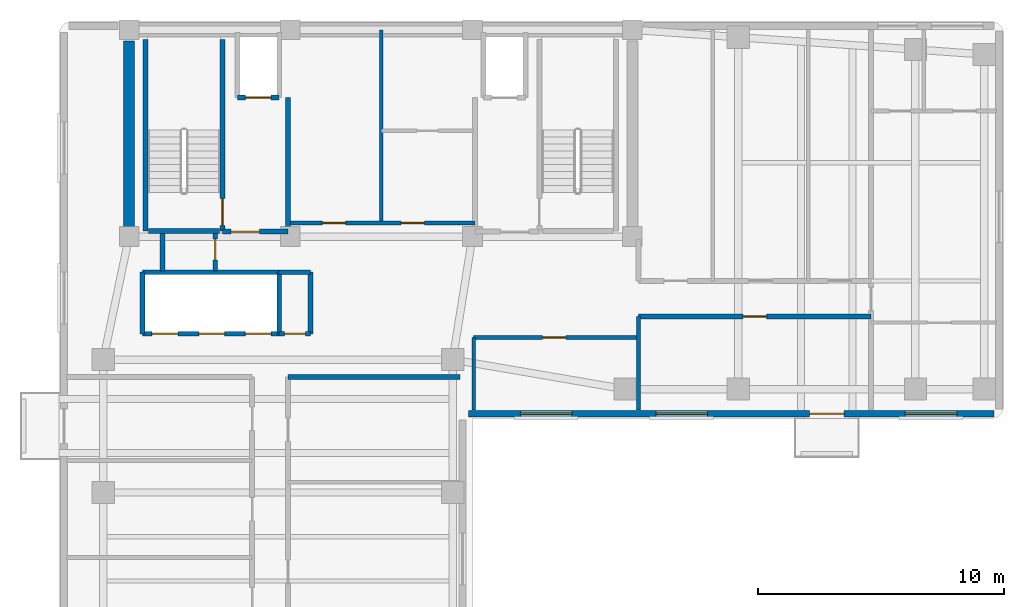
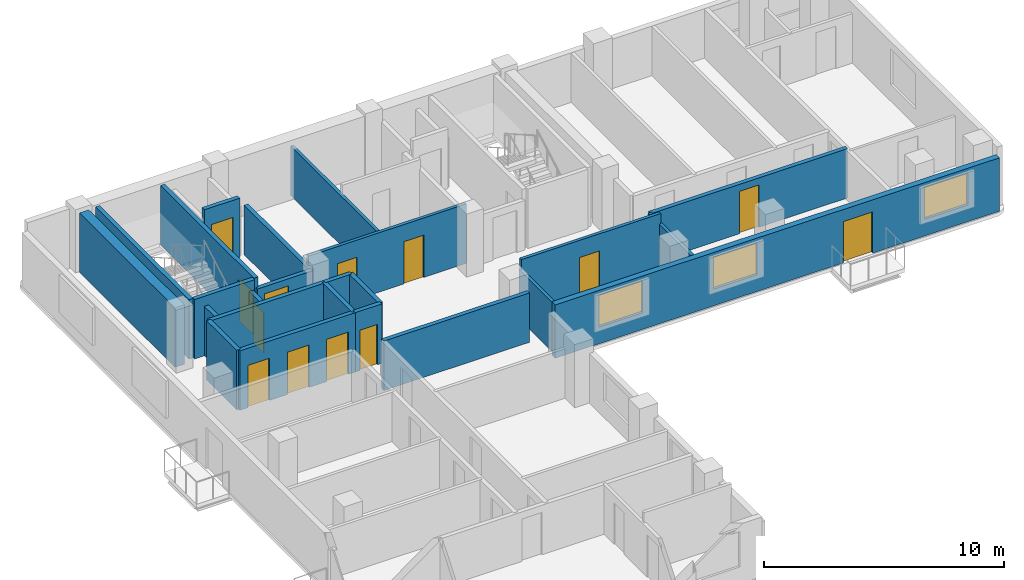
# One storey, part 3 of 7: 24 walls, 13 doors, 3 windows, 16 openings.
"""IFC4 building model written with IfcOpenShell, lengths in metres."""

from ifc_helpers import new_model, si_unit, direction, frame, frame_2d, origin, place, context, subcontext, project, spatial, rectangle, extrude, material, layer, layer_set, type_object, element, fill, save


model = new_model("IFC4")

# Units and contexts
model_context = context("Model", 3, precision=1e-05, world=origin(), true_north=direction((0.0, 1.0)))
body_context = subcontext(model_context, "Body", "Model", "MODEL_VIEW")
ifc_project = project(units=[si_unit("LENGTHUNIT", "METRE"), si_unit("AREAUNIT", "SQUARE_METRE"), si_unit("VOLUMEUNIT", "CUBIC_METRE"), si_unit("PLANEANGLEUNIT", "RADIAN"), si_unit("MASSUNIT", "GRAM", prefix="KILO")], contexts=[model_context])

# Site, building, storey
site_placement = place(None, origin())
site = spatial("IfcSite", under=ifc_project, at=site_placement, CompositionType="ELEMENT")
building_placement = place(site_placement, origin())
building = spatial("IfcBuilding", under=site, at=building_placement, Name="Kuzgunbayir Cultural Tower", CompositionType="ELEMENT")
storey_placement = place(building_placement, frame((0.0, 0.0, 198.39990234375)))
storey = spatial("IfcBuildingStorey", under=building, at=storey_placement, Name="L58", CompositionType="ELEMENT", Elevation=198.39990234375)

# Wall
ifc_material_1 = material(Name="Concrete C50/60", Category="concrete")
ifc_layer_1 = layer(ifc_material_1, 0.449951171875)
ifc_layer_set_1 = layer_set([ifc_layer_1], Name="Concrete C50/60")
wall_type_1 = type_object("IfcWallType", Name="WAL-CORE-450", PredefinedType="SHEAR", material=ifc_layer_set_1)
wall_1_placement = place(storey_placement, frame((6.449951171875, 33.800048828125, 0.0), z_axis=(0.0, 0.0, 1.0), x_axis=(0.0, 1.0, 0.0)))
element("IfcWall", 1, at=wall_1_placement, inside=storey, type_object=wall_type_1, Name="L58 T1 Core West Shear Wall", PredefinedType="SHEAR", context=body_context, shape_type="SweptSolid", body=[
    extrude(rectangle(XDim=7.949951171875, YDim=0.449951171875, at=frame_2d((3.97509765625, 0.0))), origin(), (0.0, 0.0, 1.0), 3.02001953125),
])

# Wall, openings, door, windows
ifc_material_2 = material(Name="Anatolian Cream Limestone", Category="masonry")
ifc_layer_2 = layer(ifc_material_2, 0.280029296875)
ifc_layer_set_2 = layer_set([ifc_layer_2], Name="Anatolian Cream Limestone")
wall_type_2 = type_object("IfcWallType", Name="WAL-EXT-STONE-280", PredefinedType="STANDARD", material=ifc_layer_set_2)
wall_2_placement = place(storey_placement, frame((20.25, 26.60009765625, 0.0), z_axis=(0.0, 0.0, 1.0), x_axis=(1.0, 0.0, 0.0)))
wall_2 = element("IfcWall", 2, at=wall_2_placement, inside=storey, type_object=wall_type_2, Name="L58 Wing B South Limestone Wall", PredefinedType="STANDARD", context=body_context, shape_type="SweptSolid", body=[
    extrude(rectangle(XDim=21.35009765625, YDim=0.280029296875, at=frame_2d((10.675048828125, 0.0))), origin(), (0.0, 0.0, 1.0), 2.710205078125),
])
opening_1_placement = place(wall_2_placement, frame((13.85009765625, 0.0, 0.0)))
opening_1 = element("IfcOpeningElement", 3, at=opening_1_placement, cuts=wall_2, Name="Opening BD-15", PredefinedType="OPENING", context=body_context, shape_type="SweptSolid", body=[
    extrude(rectangle(XDim=1.39990234375, YDim=2.10009765625, at=frame_2d((0.699951171875, 1.050048828125))), frame((0.0, 0.14990234375, 0.0), z_axis=(0.0, -1.0, 0.0), x_axis=(1.0, 0.0, 0.0)), (0.0, 0.0, 1.0), 0.300048828125),
])
opening_2_placement = place(wall_2_placement, frame((17.72998046875, 0.0, 0.85009765625)))
opening_2 = element("IfcOpeningElement", 4, at=opening_2_placement, cuts=wall_2, Name="Opening WR-21", PredefinedType="OPENING", context=body_context, shape_type="SweptSolid", body=[
    extrude(rectangle(XDim=2.10009765625, YDim=1.610107421875, at=frame_2d((1.050048828125, 0.80517578125))), frame((0.0, 0.14990234375, 0.0), z_axis=(0.0, -1.0, 0.0), x_axis=(1.0, 0.0, 0.0)), (0.0, 0.0, 1.0), 0.300048828125),
])
opening_3_placement = place(wall_2_placement, frame((2.10009765625, 0.0, 0.85009765625)))
opening_3 = element("IfcOpeningElement", 5, at=opening_3_placement, cuts=wall_2, Name="Opening WR-21", PredefinedType="OPENING", context=body_context, shape_type="SweptSolid", body=[
    extrude(rectangle(XDim=2.10009765625, YDim=1.610107421875, at=frame_2d((1.050048828125, 0.80517578125))), frame((0.0, 0.14990234375, 0.0), z_axis=(0.0, -1.0, 0.0), x_axis=(1.0, 0.0, 0.0)), (0.0, 0.0, 1.0), 0.300048828125),
])
opening_4_placement = place(wall_2_placement, frame((7.60009765625, 0.0, 0.85009765625)))
opening_4 = element("IfcOpeningElement", 6, at=opening_4_placement, cuts=wall_2, Name="Opening WR-21", PredefinedType="OPENING", context=body_context, shape_type="SweptSolid", body=[
    extrude(rectangle(XDim=2.10009765625, YDim=1.610107421875, at=frame_2d((1.050048828125, 0.80517578125))), frame((0.0, 0.14990234375, 0.0), z_axis=(0.0, -1.0, 0.0), x_axis=(1.0, 0.0, 0.0)), (0.0, 0.0, 1.0), 0.300048828125),
])
ifc_material_3 = material(Name="Thermally Broken Glazed Aluminium", Category="aluminium")
door_type_1 = type_object("IfcDoorType", Name="DR-BALCONY-150", OperationType="SLIDING_TO_RIGHT", PredefinedType="DOOR", material=ifc_material_3)
door_1_placement = place(opening_1_placement, origin())
door_1 = element("IfcDoor", 7, at=door_1_placement, inside=storey, type_object=door_type_1, Name="L58 South Balcony Sliding Door BAL-L58-WB2", OperationType="SLIDING_TO_RIGHT", OverallHeight=2.10009765625, OverallWidth=1.39990234375, PredefinedType="DOOR", context=body_context, shape_type="SweptSolid", body=[
    extrude(rectangle(XDim=1.39990234375, YDim=2.10009765625, at=frame_2d((0.699951171875, 1.050048828125))), frame((0.0, 0.02490234375, 0.0), z_axis=(0.0, -1.0, 0.0), x_axis=(1.0, 0.0, 0.0)), (0.0, 0.0, 1.0), 0.050048828125),
])
fill(opening_1, door_1)
ifc_material_4 = material(Name="Solar-Control Triple Glazing", Category="glass")
window_type = type_object("IfcWindowType", Name="WIN-RESID-21", PartitioningType="SINGLE_PANEL", PredefinedType="WINDOW", material=ifc_material_4)
window_1_placement = place(opening_2_placement, origin())
window_1 = element("IfcWindow", 8, at=window_1_placement, inside=storey, type_object=window_type, Name="L58 WBS Facade Window 6", OverallHeight=1.610107421875, OverallWidth=2.10009765625, PartitioningType="SINGLE_PANEL", PredefinedType="WINDOW", context=body_context, shape_type="SweptSolid", body=[
    extrude(rectangle(XDim=2.10009765625, YDim=1.610107421875, at=frame_2d((1.050048828125, 0.80517578125))), frame((0.0, 0.030029296875, 0.0), z_axis=(0.0, -1.0, 0.0), x_axis=(1.0, 0.0, 0.0)), (0.0, 0.0, 1.0), 0.06005859375),
])
fill(opening_2, window_1)
window_2_placement = place(opening_3_placement, origin())
window_2 = element("IfcWindow", 9, at=window_2_placement, inside=storey, type_object=window_type, Name="L58 WBS Facade Window 13", OverallHeight=1.610107421875, OverallWidth=2.10009765625, PartitioningType="SINGLE_PANEL", PredefinedType="WINDOW", context=body_context, shape_type="SweptSolid", body=[
    extrude(rectangle(XDim=2.10009765625, YDim=1.610107421875, at=frame_2d((1.050048828125, 0.80517578125))), frame((0.0, 0.030029296875, 0.0), z_axis=(0.0, -1.0, 0.0), x_axis=(1.0, 0.0, 0.0)), (0.0, 0.0, 1.0), 0.06005859375),
])
fill(opening_3, window_2)
window_3_placement = place(opening_4_placement, origin())
window_3 = element("IfcWindow", 10, at=window_3_placement, inside=storey, type_object=window_type, Name="L58 WBS Facade Window 14", OverallHeight=1.610107421875, OverallWidth=2.10009765625, PartitioningType="SINGLE_PANEL", PredefinedType="WINDOW", context=body_context, shape_type="SweptSolid", body=[
    extrude(rectangle(XDim=2.10009765625, YDim=1.610107421875, at=frame_2d((1.050048828125, 0.80517578125))), frame((0.0, 0.030029296875, 0.0), z_axis=(0.0, -1.0, 0.0), x_axis=(1.0, 0.0, 0.0)), (0.0, 0.0, 1.0), 0.06005859375),
])
fill(opening_4, window_3)

# Wall, openings, doors
ifc_material_5 = material(Name="Acoustic Double-Stud Drywall", Category="gypsum")
ifc_layer_3 = layer(ifc_material_5, 0.14990234375)
ifc_layer_set_3 = layer_set([ifc_layer_3], Name="Acoustic Double-Stud Drywall")
wall_type_3 = type_object("IfcWallType", Name="WAL-PART-ACOUSTIC-150", PredefinedType="PARTITIONING", material=ifc_layer_set_3)
wall_3_placement = place(storey_placement, frame((12.89990234375, 34.35009765625, 0.0), z_axis=(0.0, 0.0, 1.0), x_axis=(1.0, 0.0, 0.0)))
wall_3 = element("IfcWall", 11, at=wall_3_placement, inside=storey, type_object=wall_type_3, Name="L58 Sky Core South Wall", PredefinedType="PARTITIONING", context=body_context, shape_type="SweptSolid", body=[
    extrude(rectangle(XDim=7.60009765625, YDim=0.14990234375, at=frame_2d((3.800048828125, 0.0))), origin(), (0.0, 0.0, 1.0), 3.02001953125),
])
opening_5_placement = place(wall_3_placement, frame((1.39990234375, 0.0, 0.0)))
opening_5 = element("IfcOpeningElement", 12, at=opening_5_placement, cuts=wall_3, Name="Opening DC-95", PredefinedType="OPENING", context=body_context, shape_type="SweptSolid", body=[
    extrude(rectangle(XDim=0.949951171875, YDim=2.14990234375, at=frame_2d((0.47509765625, 1.074951171875))), frame((0.0, 0.0849609375, 0.0), z_axis=(0.0, -1.0, 0.0), x_axis=(1.0, 0.0, 0.0)), (0.0, 0.0, 1.0), 0.169921875),
])
opening_6_placement = place(wall_3_placement, frame((4.60009765625, 0.0, 0.0)))
opening_6 = element("IfcOpeningElement", 13, at=opening_6_placement, cuts=wall_3, Name="Opening DC-95", PredefinedType="OPENING", context=body_context, shape_type="SweptSolid", body=[
    extrude(rectangle(XDim=0.949951171875, YDim=2.14990234375, at=frame_2d((0.47509765625, 1.074951171875))), frame((0.0, 0.0849609375, 0.0), z_axis=(0.0, -1.0, 0.0), x_axis=(1.0, 0.0, 0.0)), (0.0, 0.0, 1.0), 0.169921875),
])
ifc_material_6 = material(Name="Fire-Rated Veneered Oak Leaf", Category="wood")
door_type_2 = type_object("IfcDoorType", Name="DR-CORE-95", OperationType="NOTDEFINED", PredefinedType="DOOR", material=ifc_material_6)
door_2_placement = place(opening_5_placement, origin())
door_2 = element("IfcDoor", 14, at=door_2_placement, inside=storey, type_object=door_type_2, Name="L58 Library Alcove Door", OperationType="SINGLE_SWING_RIGHT", OverallHeight=2.14990234375, OverallWidth=0.949951171875, PredefinedType="DOOR", context=body_context, shape_type="SweptSolid", body=[
    extrude(rectangle(XDim=0.949951171875, YDim=2.14990234375, at=frame_2d((0.47509765625, 1.074951171875))), frame((0.0, 0.02490234375, 0.0), z_axis=(0.0, -1.0, 0.0), x_axis=(1.0, 0.0, 0.0)), (0.0, 0.0, 1.0), 0.050048828125),
])
fill(opening_5, door_2)
door_3_placement = place(opening_6_placement, origin())
door_3 = element("IfcDoor", 15, at=door_3_placement, inside=storey, type_object=door_type_2, Name="L58 Music Practice Room Door", OperationType="SINGLE_SWING_LEFT", OverallHeight=2.14990234375, OverallWidth=0.949951171875, PredefinedType="DOOR", context=body_context, shape_type="SweptSolid", body=[
    extrude(rectangle(XDim=0.949951171875, YDim=2.14990234375, at=frame_2d((0.47509765625, 1.074951171875))), frame((0.0, 0.02490234375, 0.0), z_axis=(0.0, -1.0, 0.0), x_axis=(1.0, 0.0, 0.0)), (0.0, 0.0, 1.0), 0.050048828125),
])
fill(opening_6, door_3)

# Wall
wall_4_placement = place(storey_placement, frame((16.699951171875, 34.35009765625, 0.0), z_axis=(0.0, 0.0, 1.0), x_axis=(0.0, 1.0, 0.0)))
element("IfcWall", 16, at=wall_4_placement, inside=storey, type_object=wall_type_3, Name="L58 Sky Core Vertical Wall", PredefinedType="PARTITIONING", context=body_context, shape_type="SweptSolid", body=[
    extrude(rectangle(XDim=7.849853515625, YDim=0.14990234375, at=frame_2d((3.9248046875, 0.0))), origin(), (0.0, 0.0, 1.0), 2.510009765625),
])

# Wall, opening, door
wall_5_placement = place(storey_placement, frame((20.449951171875, 29.699951171875, 0.0), z_axis=(0.0, 0.0, 1.0), x_axis=(1.0, 0.0, 0.0)))
wall_5 = element("IfcWall", 17, at=wall_5_placement, inside=storey, type_object=wall_type_3, Name="L58 Waist Alcove North Wall", PredefinedType="PARTITIONING", context=body_context, shape_type="SweptSolid", body=[
    extrude(rectangle(XDim=6.699951171875, YDim=0.14990234375, at=frame_2d((3.35009765625, 0.0))), origin(), (0.0, 0.0, 1.0), 3.02001953125),
])
opening_7_placement = place(wall_5_placement, frame((2.800048828125, 0.0, 0.0)))
opening_7 = element("IfcOpeningElement", 18, at=opening_7_placement, cuts=wall_5, Name="Opening DI-90", PredefinedType="OPENING", context=body_context, shape_type="SweptSolid", body=[
    extrude(rectangle(XDim=0.949951171875, YDim=2.14990234375, at=frame_2d((0.47509765625, 1.074951171875))), frame((0.0, 0.0849609375, 0.0), z_axis=(0.0, -1.0, 0.0), x_axis=(1.0, 0.0, 0.0)), (0.0, 0.0, 1.0), 0.169921875),
])
ifc_material_7 = material(Name="Veneered Oak Single Leaf", Category="wood")
door_type_3 = type_object("IfcDoorType", Name="DR-INT-90", OperationType="NOTDEFINED", PredefinedType="DOOR", material=ifc_material_7)
door_4_placement = place(opening_7_placement, origin())
door_4 = element("IfcDoor", 19, at=door_4_placement, inside=storey, type_object=door_type_3, Name="L58 Waist Alcove Door", OperationType="SINGLE_SWING_RIGHT", OverallHeight=2.14990234375, OverallWidth=0.949951171875, PredefinedType="DOOR", context=body_context, shape_type="SweptSolid", body=[
    extrude(rectangle(XDim=0.949951171875, YDim=2.14990234375, at=frame_2d((0.47509765625, 1.074951171875))), frame((0.0, 0.02490234375, 0.0), z_axis=(0.0, -1.0, 0.0), x_axis=(1.0, 0.0, 0.0)), (0.0, 0.0, 1.0), 0.050048828125),
])
fill(opening_7, door_4)

# Walls
wall_6_placement = place(storey_placement, frame((20.449951171875, 26.75, 0.0), z_axis=(0.0, 0.0, 1.0), x_axis=(0.0, 1.0, 0.0)))
element("IfcWall", 20, at=wall_6_placement, inside=storey, type_object=wall_type_3, Name="L58 Waist Alcove West Wall", PredefinedType="PARTITIONING", context=body_context, shape_type="SweptSolid", body=[
    extrude(rectangle(XDim=2.949951171875, YDim=0.14990234375, at=frame_2d((1.47509765625, 0.0))), origin(), (0.0, 0.0, 1.0), 2.510009765625),
])
wall_7_placement = place(storey_placement, frame((27.14990234375, 26.75, 0.0), z_axis=(0.0, 0.0, 1.0), x_axis=(0.0, 1.0, 0.0)))
element("IfcWall", 21, at=wall_7_placement, inside=storey, type_object=wall_type_3, Name="L58 Waist Alcove East Wall", PredefinedType="PARTITIONING", context=body_context, shape_type="SweptSolid", body=[
    extrude(rectangle(XDim=3.800048828125, YDim=0.14990234375, at=frame_2d((1.89990234375, 0.0))), origin(), (0.0, 0.0, 1.0), 2.510009765625),
])
ifc_material_8 = material(Name="Aerated Concrete Blockwork", Category="masonry")
ifc_layer_4 = layer(ifc_material_8, 0.199951171875)
ifc_layer_set_4 = layer_set([ifc_layer_4], Name="Aerated Concrete Blockwork")
wall_type_4 = type_object("IfcWallType", Name="WAL-PART-FIRE-200", PredefinedType="PARTITIONING", material=ifc_layer_set_4)
wall_8_placement = place(storey_placement, frame((12.89990234375, 34.0, 0.0), z_axis=(0.0, 0.0, 1.0), x_axis=(0.0, 1.0, 0.0)))
element("IfcWall", 22, at=wall_8_placement, inside=storey, type_object=wall_type_4, Name="L58 FFL-1 Lobby East Fire Wall", PredefinedType="PARTITIONING", context=body_context, shape_type="SweptSolid", body=[
    extrude(rectangle(XDim=5.449951171875, YDim=0.199951171875, at=frame_2d((2.72509765625, 0.0))), origin(), (0.0, 0.0, 1.0), 2.510009765625),
])

# Wall, opening, door
wall_9_placement = place(storey_placement, frame((10.239990234375, 34.0, 0.0), z_axis=(0.0, 0.0, 1.0), x_axis=(1.0, 0.0, 0.0)))
wall_9 = element("IfcWall", 23, at=wall_9_placement, inside=storey, type_object=wall_type_4, Name="L58 FFL-1 Lobby South Fire Wall", PredefinedType="PARTITIONING", context=body_context, shape_type="SweptSolid", body=[
    extrude(rectangle(XDim=2.659912109375, YDim=0.199951171875, at=frame_2d((1.330078125, 0.0))), origin(), (0.0, 0.0, 1.0), 2.510009765625),
])
opening_8_placement = place(wall_9_placement, frame((0.35009765625, 0.0, 0.0)))
opening_8 = element("IfcOpeningElement", 24, at=opening_8_placement, cuts=wall_9, Name="Opening DR-FFL-90", PredefinedType="OPENING", context=body_context, shape_type="SweptSolid", body=[
    extrude(rectangle(XDim=1.14990234375, YDim=2.14990234375, at=frame_2d((0.574951171875, 1.074951171875))), frame((0.0, 0.10986328125, 0.0), z_axis=(0.0, -1.0, 0.0), x_axis=(1.0, 0.0, 0.0)), (0.0, 0.0, 1.0), 0.219970703125),
])
ifc_material_9 = material(Name="Steel S355J2", Category="steel")
door_type_4 = type_object("IfcDoorType", Name="DR-FFL-90", OperationType="NOTDEFINED", PredefinedType="DOOR", material=ifc_material_9)
door_5_placement = place(opening_8_placement, origin())
door_5 = element("IfcDoor", 25, at=door_5_placement, inside=storey, type_object=door_type_4, Name="L58 Firefighting Lobby 1 Door", OperationType="SINGLE_SWING_RIGHT", OverallHeight=2.14990234375, OverallWidth=1.14990234375, PredefinedType="DOOR", context=body_context, shape_type="SweptSolid", body=[
    extrude(rectangle(XDim=1.14990234375, YDim=2.14990234375, at=frame_2d((0.574951171875, 1.074951171875))), frame((0.0, 0.02490234375, 0.0), z_axis=(0.0, -1.0, 0.0), x_axis=(1.0, 0.0, 0.0)), (0.0, 0.0, 1.0), 0.050048828125),
])
fill(opening_8, door_5)

wall_10_placement = place(storey_placement, frame((12.550048828125, 29.85009765625, 0.0), z_axis=(0.0, 0.0, 1.0), x_axis=(1.0, 0.0, 0.0)))
wall_10 = element("IfcWall", 26, at=wall_10_placement, inside=storey, type_object=wall_type_4, Name="L58 Center Core Switchgear South Wall", PredefinedType="PARTITIONING", context=body_context, shape_type="SweptSolid", body=[
    extrude(rectangle(XDim=1.27001953125, YDim=0.199951171875, at=frame_2d((0.635009765625, 0.0))), origin(), (0.0, 0.0, 1.0), 3.02001953125),
])
opening_9_placement = place(wall_10_placement, frame((0.2099609375, 0.0, 0.0)))
opening_9 = element("IfcOpeningElement", 27, at=opening_9_placement, cuts=wall_10, Name="Opening DR-RSR-60", PredefinedType="OPENING", context=body_context, shape_type="SweptSolid", body=[
    extrude(rectangle(XDim=0.85009765625, YDim=2.050048828125, at=frame_2d((0.425048828125, 1.02490234375))), frame((0.0, 0.10986328125, 0.0), z_axis=(0.0, -1.0, 0.0), x_axis=(1.0, 0.0, 0.0)), (0.0, 0.0, 1.0), 0.219970703125),
])
ifc_material_10 = material(Name="Steel Access Leaf", Category="steel")
door_type_5 = type_object("IfcDoorType", Name="DR-RISER-60", OperationType="NOTDEFINED", PredefinedType="DOOR", material=ifc_material_10)
door_6_placement = place(opening_9_placement, origin())
door_6 = element("IfcDoor", 28, at=door_6_placement, inside=storey, type_object=door_type_5, Name="L58 Electrical Switchgear Closet Door", OperationType="SINGLE_SWING_RIGHT", OverallHeight=2.050048828125, OverallWidth=0.85009765625, PredefinedType="DOOR", context=body_context, shape_type="SweptSolid", body=[
    extrude(rectangle(XDim=0.85009765625, YDim=2.050048828125, at=frame_2d((0.425048828125, 1.02490234375))), frame((0.0, 0.02490234375, 0.0), z_axis=(0.0, -1.0, 0.0), x_axis=(1.0, 0.0, 0.0)), (0.0, 0.0, 1.0), 0.050048828125),
])
fill(opening_9, door_6)

# Walls
wall_11_placement = place(storey_placement, frame((13.820068359375, 29.85009765625, 0.0), z_axis=(0.0, 0.0, 1.0), x_axis=(0.0, 1.0, 0.0)))
element("IfcWall", 29, at=wall_11_placement, inside=storey, type_object=wall_type_4, Name="L58 Center Core Switchgear East Wall", PredefinedType="PARTITIONING", context=body_context, shape_type="SweptSolid", body=[
    extrude(rectangle(XDim=2.5, YDim=0.199951171875, at=frame_2d((1.25, 0.0))), origin(), (0.0, 0.0, 1.0), 3.02001953125),
])
wall_12_placement = place(storey_placement, frame((12.550048828125, 32.35009765625, 0.0), z_axis=(0.0, 0.0, 1.0), x_axis=(1.0, 0.0, 0.0)))
element("IfcWall", 30, at=wall_12_placement, inside=storey, type_object=wall_type_4, Name="L58 Center Core Switchgear North Wall", PredefinedType="PARTITIONING", context=body_context, shape_type="SweptSolid", body=[
    extrude(rectangle(XDim=1.27001953125, YDim=0.199951171875, at=frame_2d((0.635009765625, 0.0))), origin(), (0.0, 0.0, 1.0), 3.02001953125),
])
wall_13_placement = place(storey_placement, frame((7.800048828125, 32.39990234375, 0.0), z_axis=(0.0, 0.0, 1.0), x_axis=(0.0, 1.0, 0.0)))
element("IfcWall", 31, at=wall_13_placement, inside=storey, type_object=wall_type_4, Name="L58 West Core Electrical Closet West Wall", PredefinedType="PARTITIONING", context=body_context, shape_type="SweptSolid", body=[
    extrude(rectangle(XDim=1.52001953125, YDim=0.199951171875, at=frame_2d((0.760009765625, 0.0))), origin(), (0.0, 0.0, 1.0), 2.510009765625),
])

# Wall, opening, door
wall_14_placement = place(storey_placement, frame((9.949951171875, 32.39990234375, 0.0), z_axis=(0.0, 0.0, 1.0), x_axis=(0.0, 1.0, 0.0)))
wall_14 = element("IfcWall", 32, at=wall_14_placement, inside=storey, type_object=wall_type_4, Name="L58 West Core Electrical Closet East Wall", PredefinedType="PARTITIONING", context=body_context, shape_type="SweptSolid", body=[
    extrude(rectangle(XDim=1.52001953125, YDim=0.199951171875, at=frame_2d((0.760009765625, 0.0))), origin(), (0.0, 0.0, 1.0), 2.510009765625),
])
opening_10_placement = place(wall_14_placement, frame((0.449951171875, 0.0, 0.0)))
opening_10 = element("IfcOpeningElement", 33, at=opening_10_placement, cuts=wall_14, Name="Opening DR-RSR-60", PredefinedType="OPENING", context=body_context, shape_type="SweptSolid", body=[
    extrude(rectangle(XDim=0.85009765625, YDim=2.050048828125, at=frame_2d((0.425048828125, 1.02490234375))), frame((0.0, 0.10986328125, 0.0), z_axis=(0.0, -1.0, 0.0), x_axis=(1.0, 0.0, 0.0)), (0.0, 0.0, 1.0), 0.219970703125),
])
door_7_placement = place(opening_10_placement, origin())
door_7 = element("IfcDoor", 34, at=door_7_placement, inside=storey, type_object=door_type_5, Name="L58 West Core Switchgear Closet Door", OperationType="SINGLE_SWING_LEFT", OverallHeight=2.050048828125, OverallWidth=0.85009765625, PredefinedType="DOOR", context=body_context, shape_type="SweptSolid", body=[
    extrude(rectangle(XDim=0.85009765625, YDim=2.050048828125, at=frame_2d((0.425048828125, 1.02490234375))), frame((0.0, 0.02490234375, 0.0), z_axis=(0.0, -1.0, 0.0), x_axis=(1.0, 0.0, 0.0)), (0.0, 0.0, 1.0), 0.050048828125),
])
fill(opening_10, door_7)

# Wall
wall_15_placement = place(storey_placement, frame((12.909912109375, 28.10009765625, 0.0), z_axis=(0.0, 0.0, 1.0), x_axis=(1.0, 0.0, 0.0)))
element("IfcWall", 35, at=wall_15_placement, inside=storey, type_object=wall_type_4, Name="L58 North East Partition", PredefinedType="PARTITIONING", context=body_context, shape_type="SweptSolid", body=[
    extrude(rectangle(XDim=6.989990234375, YDim=0.199951171875, at=frame_2d((3.4951171875, 0.0))), origin(), (0.0, 0.0, 1.0), 2.510009765625),
])

# Wall, opening, door
wall_16_placement = place(storey_placement, frame((27.14990234375, 30.550048828125, 0.0), z_axis=(0.0, 0.0, 1.0), x_axis=(1.0, 0.0, 0.0)))
wall_16 = element("IfcWall", 36, at=wall_16_placement, inside=storey, type_object=wall_type_4, Name="L58 Wing B Residence Corridor South Wall", PredefinedType="PARTITIONING", context=body_context, shape_type="SweptSolid", body=[
    extrude(rectangle(XDim=9.4501953125, YDim=0.199951171875, at=frame_2d((4.72509765625, 0.0))), origin(), (0.0, 0.0, 1.0), 2.510009765625),
])
opening_11_placement = place(wall_16_placement, frame((4.25, 0.0, 0.0)))
opening_11 = element("IfcOpeningElement", 37, at=opening_11_placement, cuts=wall_16, Name="Opening DI-90", PredefinedType="OPENING", context=body_context, shape_type="SweptSolid", body=[
    extrude(rectangle(XDim=0.949951171875, YDim=2.14990234375, at=frame_2d((0.47509765625, 1.074951171875))), frame((0.0, 0.10986328125, 0.0), z_axis=(0.0, -1.0, 0.0), x_axis=(1.0, 0.0, 0.0)), (0.0, 0.0, 1.0), 0.219970703125),
])
door_8_placement = place(opening_11_placement, origin())
door_8 = element("IfcDoor", 38, at=door_8_placement, inside=storey, type_object=door_type_3, Name="L58 Wing B Culinary Tasting Pantry 1 Door", OperationType="SINGLE_SWING_RIGHT", OverallHeight=2.14990234375, OverallWidth=0.949951171875, PredefinedType="DOOR", context=body_context, shape_type="SweptSolid", body=[
    extrude(rectangle(XDim=0.949951171875, YDim=2.14990234375, at=frame_2d((0.47509765625, 1.074951171875))), frame((0.0, 0.02490234375, 0.0), z_axis=(0.0, -1.0, 0.0), x_axis=(1.0, 0.0, 0.0)), (0.0, 0.0, 1.0), 0.050048828125),
])
fill(opening_11, door_8)

# Wall, openings, doors
ifc_material_11 = material(Name="Concrete C40/50", Category="concrete")
ifc_layer_5 = layer(ifc_material_11, 0.199951171875)
ifc_layer_set_5 = layer_set([ifc_layer_5], Name="Concrete C40/50")
wall_type_5 = type_object("IfcWallType", Name="WAL-SHAFT-200", PredefinedType="MOVABLE", material=ifc_layer_set_5)
wall_17_placement = place(storey_placement, frame((7.0, 29.85009765625, 0.0), z_axis=(0.0, 0.0, 1.0), x_axis=(1.0, 0.0, 0.0)))
wall_17 = element("IfcWall", 39, at=wall_17_placement, inside=storey, type_object=wall_type_5, Name="L58 High-Rise Lift Shaft South Wall", PredefinedType="MOVABLE", context=body_context, shape_type="SweptSolid", body=[
    extrude(rectangle(XDim=5.550048828125, YDim=0.199951171875, at=frame_2d((2.77490234375, 0.0))), origin(), (0.0, 0.0, 1.0), 3.02001953125),
])
opening_12_placement = place(wall_17_placement, frame((0.3798828125, 0.0, 0.0)))
opening_12 = element("IfcOpeningElement", 40, at=opening_12_placement, cuts=wall_17, Name="Opening LD", PredefinedType="OPENING", context=body_context, shape_type="SweptSolid", body=[
    extrude(rectangle(XDim=1.050048828125, YDim=2.14990234375, at=frame_2d((0.52490234375, 1.074951171875))), frame((0.0, 0.10986328125, 0.0), z_axis=(0.0, -1.0, 0.0), x_axis=(1.0, 0.0, 0.0)), (0.0, 0.0, 1.0), 0.219970703125),
])
opening_13_placement = place(wall_17_placement, frame((2.280029296875, 0.0, 0.0)))
opening_13 = element("IfcOpeningElement", 41, at=opening_13_placement, cuts=wall_17, Name="Opening LD", PredefinedType="OPENING", context=body_context, shape_type="SweptSolid", body=[
    extrude(rectangle(XDim=1.050048828125, YDim=2.14990234375, at=frame_2d((0.52490234375, 1.074951171875))), frame((0.0, 0.10986328125, 0.0), z_axis=(0.0, -1.0, 0.0), x_axis=(1.0, 0.0, 0.0)), (0.0, 0.0, 1.0), 0.219970703125),
])
opening_14_placement = place(wall_17_placement, frame((4.169921875, 0.0, 0.0)))
opening_14 = element("IfcOpeningElement", 42, at=opening_14_placement, cuts=wall_17, Name="Opening LD", PredefinedType="OPENING", context=body_context, shape_type="SweptSolid", body=[
    extrude(rectangle(XDim=1.050048828125, YDim=2.14990234375, at=frame_2d((0.52490234375, 1.074951171875))), frame((0.0, 0.10986328125, 0.0), z_axis=(0.0, -1.0, 0.0), x_axis=(1.0, 0.0, 0.0)), (0.0, 0.0, 1.0), 0.219970703125),
])
ifc_material_12 = material(Name="Brushed Stainless Steel", Category="steel")
door_type_6 = type_object("IfcDoorType", Name="DR-LIFT-LANDING", OperationType="SLIDING_TO_LEFT", PredefinedType="DOOR", material=ifc_material_12)
door_9_placement = place(opening_12_placement, origin())
door_9 = element("IfcDoor", 43, at=door_9_placement, inside=storey, type_object=door_type_6, Name="L58 Lift PH-1 Landing Door", OperationType="SLIDING_TO_LEFT", OverallHeight=2.14990234375, OverallWidth=1.050048828125, PredefinedType="DOOR", context=body_context, shape_type="SweptSolid", body=[
    extrude(rectangle(XDim=1.050048828125, YDim=2.14990234375, at=frame_2d((0.52490234375, 1.074951171875))), frame((0.0, 0.02490234375, 0.0), z_axis=(0.0, -1.0, 0.0), x_axis=(1.0, 0.0, 0.0)), (0.0, 0.0, 1.0), 0.050048828125),
])
fill(opening_12, door_9)
door_10_placement = place(opening_13_placement, origin())
door_10 = element("IfcDoor", 44, at=door_10_placement, inside=storey, type_object=door_type_6, Name="L58 Lift PH-2 Landing Door", OperationType="SLIDING_TO_LEFT", OverallHeight=2.14990234375, OverallWidth=1.050048828125, PredefinedType="DOOR", context=body_context, shape_type="SweptSolid", body=[
    extrude(rectangle(XDim=1.050048828125, YDim=2.14990234375, at=frame_2d((0.52490234375, 1.074951171875))), frame((0.0, 0.02490234375, 0.0), z_axis=(0.0, -1.0, 0.0), x_axis=(1.0, 0.0, 0.0)), (0.0, 0.0, 1.0), 0.050048828125),
])
fill(opening_13, door_10)
door_11_placement = place(opening_14_placement, origin())
door_11 = element("IfcDoor", 45, at=door_11_placement, inside=storey, type_object=door_type_6, Name="L58 Lift PH-3 Landing Door", OperationType="SLIDING_TO_LEFT", OverallHeight=2.14990234375, OverallWidth=1.050048828125, PredefinedType="DOOR", context=body_context, shape_type="SweptSolid", body=[
    extrude(rectangle(XDim=1.050048828125, YDim=2.14990234375, at=frame_2d((0.52490234375, 1.074951171875))), frame((0.0, 0.02490234375, 0.0), z_axis=(0.0, -1.0, 0.0), x_axis=(1.0, 0.0, 0.0)), (0.0, 0.0, 1.0), 0.050048828125),
])
fill(opening_14, door_11)

# Walls
wall_18_placement = place(storey_placement, frame((7.0, 32.35009765625, 0.0), z_axis=(0.0, 0.0, 1.0), x_axis=(1.0, 0.0, 0.0)))
element("IfcWall", 46, at=wall_18_placement, inside=storey, type_object=wall_type_5, Name="L58 High-Rise Lift Shaft North Wall", PredefinedType="MOVABLE", context=body_context, shape_type="SweptSolid", body=[
    extrude(rectangle(XDim=5.550048828125, YDim=0.199951171875, at=frame_2d((2.77490234375, 0.0))), origin(), (0.0, 0.0, 1.0), 3.02001953125),
])
for number, where, z_axis, x_axis, name in (
    (47, (7.0, 29.85009765625, 0.0), (0.0, 0.0, 1.0), (0.0, 1.0, 0.0), "L58 High-Rise Lift Shaft West Wall"),
    (48, (12.550048828125, 29.85009765625, 0.0), (0.0, 0.0, 1.0), (0.0, 1.0, 0.0), "L58 High-Rise Lift Shaft East Wall"),
):
    element("IfcWall", number, at=place(storey_placement, frame(where, z_axis=z_axis, x_axis=x_axis)), inside=storey, type_object=wall_type_5, Name=name, PredefinedType="MOVABLE", context=body_context, shape_type="SweptSolid", body=[
        extrude(rectangle(XDim=2.5, YDim=0.199951171875, at=frame_2d((1.25, 0.0))), origin(), (0.0, 0.0, 1.0), 3.02001953125),
    ])

# Wall, opening, door
wall_19_placement = place(storey_placement, frame((10.85009765625, 39.449951171875, 0.0), z_axis=(0.0, 0.0, 1.0), x_axis=(1.0, 0.0, 0.0)))
wall_19 = element("IfcWall", 49, at=wall_19_placement, inside=storey, type_object=wall_type_5, Name="L58 FFL-1 Lift Front Wall", PredefinedType="MOVABLE", context=body_context, shape_type="SweptSolid", body=[
    extrude(rectangle(XDim=1.699951171875, YDim=0.199951171875, at=frame_2d((0.85009765625, 0.0))), origin(), (0.0, 0.0, 1.0), 3.02001953125),
])
opening_15_placement = place(wall_19_placement, frame((0.320068359375, 0.0, 0.0)))
opening_15 = element("IfcOpeningElement", 50, at=opening_15_placement, cuts=wall_19, Name="Opening LD", PredefinedType="OPENING", context=body_context, shape_type="SweptSolid", body=[
    extrude(rectangle(XDim=1.050048828125, YDim=2.14990234375, at=frame_2d((0.52490234375, 1.074951171875))), frame((0.0, 0.10986328125, 0.0), z_axis=(0.0, -1.0, 0.0), x_axis=(1.0, 0.0, 0.0)), (0.0, 0.0, 1.0), 0.219970703125),
])
door_12_placement = place(opening_15_placement, origin())
door_12 = element("IfcDoor", 51, at=door_12_placement, inside=storey, type_object=door_type_6, Name="L58 Lift FFL-1 Landing Door", OperationType="SLIDING_TO_LEFT", OverallHeight=2.14990234375, OverallWidth=1.050048828125, PredefinedType="DOOR", context=body_context, shape_type="SweptSolid", body=[
    extrude(rectangle(XDim=1.050048828125, YDim=2.14990234375, at=frame_2d((0.52490234375, 1.074951171875))), frame((0.0, 0.02490234375, 0.0), z_axis=(0.0, -1.0, 0.0), x_axis=(1.0, 0.0, 0.0)), (0.0, 0.0, 1.0), 0.050048828125),
])
fill(opening_15, door_12)

# Wall
ifc_layer_6 = layer(ifc_material_11, 0.199951171875)
ifc_layer_set_6 = layer_set([ifc_layer_6], Name="Concrete C40/50")
wall_type_6 = type_object("IfcWallType", Name="WAL-STAIR-RC-200", PredefinedType="SHEAR", material=ifc_layer_set_6)
wall_20_placement = place(storey_placement, frame((7.1201171875, 34.02001953125, 0.0), z_axis=(0.0, 0.0, 1.0), x_axis=(0.0, 1.0, 0.0)))
element("IfcWall", 52, at=wall_20_placement, inside=storey, type_object=wall_type_6, Name="L58 Stair ST-1 West Structural Wall", PredefinedType="SHEAR", context=body_context, shape_type="SweptSolid", body=[
    extrude(rectangle(XDim=7.780029296875, YDim=0.199951171875, at=frame_2d((3.89013671875, 0.0))), origin(), (0.0, 0.0, 1.0), 3.02001953125),
])

# Wall, opening, door
wall_21_placement = place(storey_placement, frame((10.239990234375, 34.02001953125, 0.0), z_axis=(0.0, 0.0, 1.0), x_axis=(0.0, 1.0, 0.0)))
wall_21 = element("IfcWall", 53, at=wall_21_placement, inside=storey, type_object=wall_type_6, Name="L58 Stair ST-1 East Structural Wall", PredefinedType="SHEAR", context=body_context, shape_type="SweptSolid", body=[
    extrude(rectangle(XDim=7.780029296875, YDim=0.199951171875, at=frame_2d((3.89013671875, 0.0))), origin(), (0.0, 0.0, 1.0), 3.02001953125),
])
opening_16_placement = place(wall_21_placement, frame((0.219970703125, 0.0, 0.0)))
opening_16 = element("IfcOpeningElement", 54, at=opening_16_placement, cuts=wall_21, Name="Opening DR-STAIR-90", PredefinedType="OPENING", context=body_context, shape_type="SweptSolid", body=[
    extrude(rectangle(XDim=1.10009765625, YDim=2.14990234375, at=frame_2d((0.550048828125, 1.074951171875))), frame((0.0, 0.10986328125, 0.0), z_axis=(0.0, -1.0, 0.0), x_axis=(1.0, 0.0, 0.0)), (0.0, 0.0, 1.0), 0.219970703125),
])
door_type_7 = type_object("IfcDoorType", Name="DR-STAIR-90", OperationType="NOTDEFINED", PredefinedType="DOOR", material=ifc_material_9)
door_13_placement = place(opening_16_placement, origin())
door_13 = element("IfcDoor", 55, at=door_13_placement, inside=storey, type_object=door_type_7, Name="L58 Stair ST-1 Fire Door", OperationType="SINGLE_SWING_RIGHT", OverallHeight=2.14990234375, OverallWidth=1.10009765625, PredefinedType="DOOR", context=body_context, shape_type="SweptSolid", body=[
    extrude(rectangle(XDim=1.10009765625, YDim=2.14990234375, at=frame_2d((0.550048828125, 1.074951171875))), frame((0.0, 0.02490234375, 0.0), z_axis=(0.0, -1.0, 0.0), x_axis=(1.0, 0.0, 0.0)), (0.0, 0.0, 1.0), 0.050048828125),
])
fill(opening_16, door_13)

# Wall
wall_22_placement = place(storey_placement, frame((7.239990234375, 34.02001953125, 0.0), z_axis=(0.0, 0.0, 1.0), x_axis=(1.0, 0.0, 0.0)))
element("IfcWall", 56, at=wall_22_placement, inside=storey, type_object=wall_type_6, Name="L58 Stair ST-1 South Structural Wall", PredefinedType="SHEAR", context=body_context, shape_type="SweptSolid", body=[
    extrude(rectangle(XDim=2.880126953125, YDim=0.199951171875, at=frame_2d((1.43994140625, 0.0))), origin(), (0.0, 0.0, 1.0), 3.02001953125),
])

save(model, "model.ifc")
